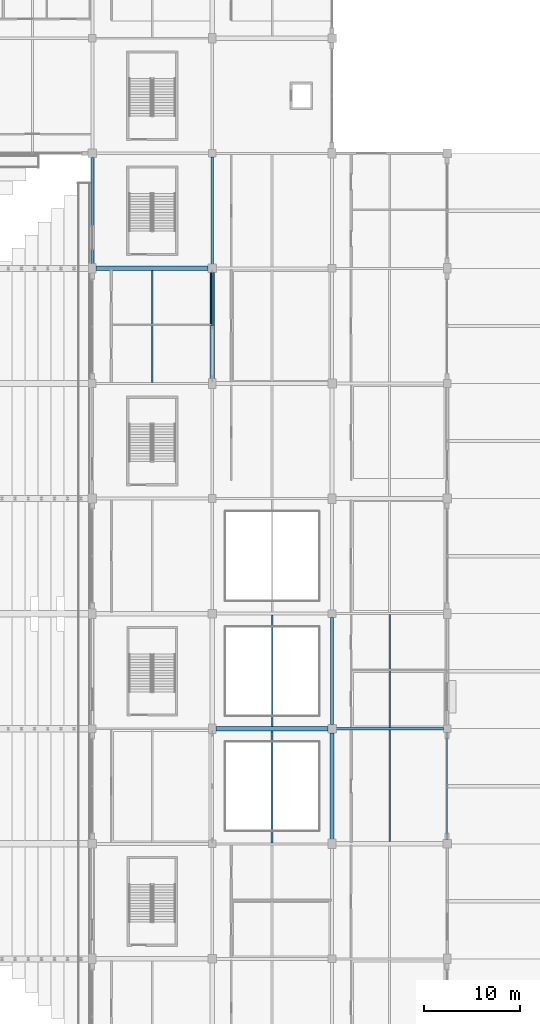
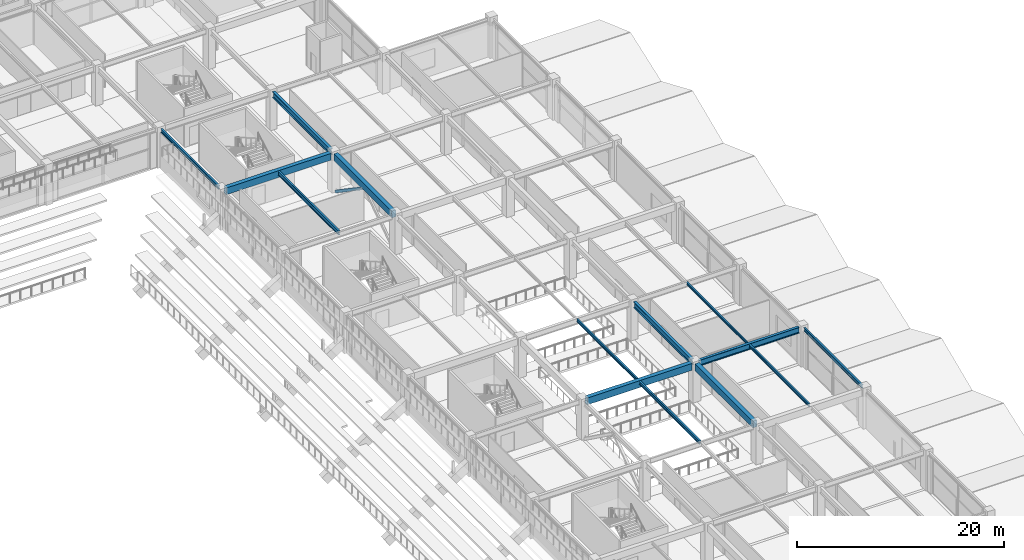
# One storey, part 44 of 134: 14 beams, 1 member.
"""IFC4 building model written with IfcOpenShell, lengths in metres."""

from ifc_helpers import new_model, si_unit, direction, frame, origin, origin_2d, place, context, subcontext, project, spatial, rectangle, hollow_rectangle, i_section, extrude, material, material_profile, profile_set, type_object, element, save


model = new_model("IFC4")

# Units and contexts
model_context = context("Model", 3, precision=1e-05, world=origin(), true_north=direction((0.0, 1.0)))
body_context = subcontext(model_context, "Body", "Model", "MODEL_VIEW")
ifc_project = project(units=[si_unit("LENGTHUNIT", "METRE"), si_unit("AREAUNIT", "SQUARE_METRE"), si_unit("VOLUMEUNIT", "CUBIC_METRE"), si_unit("PLANEANGLEUNIT", "RADIAN"), si_unit("MASSUNIT", "GRAM", prefix="KILO")], contexts=[model_context])

# Site, building, storey
site_placement = place(None, origin())
site = spatial("IfcSite", under=ifc_project, at=site_placement, CompositionType="ELEMENT")
building_placement = place(site_placement, origin())
building = spatial("IfcBuilding", under=site, at=building_placement, Name="Kazenohara Klinker Stadium", CompositionType="ELEMENT")
storey_placement = place(building_placement, frame((0.0, 0.0, 5.39990234375)))
storey = spatial("IfcBuildingStorey", under=building, at=storey_placement, Name="L01", CompositionType="ELEMENT", Elevation=5.39990234375)

# Beams
ifc_material_1 = material(Name="Steel S355", Category="steel")
ifc_material_profile_1 = material_profile(ifc_material_1, i_section(OverallWidth=0.199951171875, OverallDepth=0.5, WebThickness=0.010009765625, FlangeThickness=0.01611328125, FilletRadius=0.012939453125, at=origin_2d()), Name="H-500x200x10x16")
ifc_profile_set_1 = profile_set([ifc_material_profile_1], Name="Steel S355")
beam_type_1 = type_object("IfcBeamType", Name="BM-JST01", PredefinedType="JOIST", material=ifc_profile_set_1)
beam_1_placement = place(storey_placement, frame((181.25, 108.10009765625, 4.300048828125), z_axis=(0.0, 1.0, 0.0), x_axis=(-1.0, 0.0, 0.0)))
element("IfcBeam", 1, at=beam_1_placement, inside=storey, type_object=beam_type_1, Name="Secondary floor joist SJ01 L01 15/K", PredefinedType="JOIST", context=body_context, shape_type="SweptSolid", body=[
    extrude(i_section(OverallWidth=0.199951171875, OverallDepth=0.5, WebThickness=0.010009765625, FlangeThickness=0.01611328125, FilletRadius=0.012939453125, at=origin_2d()), origin(), (0.0, 0.0, 1.0), 11.6748046875),
])
ifc_material_profile_2 = material_profile(ifc_material_1, i_section(OverallWidth=0.199951171875, OverallDepth=0.39990234375, WebThickness=0.008056640625, FlangeThickness=0.012939453125, FilletRadius=0.012939453125, at=origin_2d()), Name="H-400x200x8x13")
ifc_profile_set_2 = profile_set([ifc_material_profile_2], Name="Steel S355")
beam_type_2 = type_object("IfcBeamType", Name="BM-JST03", PredefinedType="JOIST", material=ifc_profile_set_2)
beam_2_placement = place(storey_placement, frame((193.75, 60.10009765625, 4.35009765625), z_axis=(0.0, 1.0, 0.0), x_axis=(-1.0, 0.0, 0.0)))
element("IfcBeam", 2, at=beam_2_placement, inside=storey, type_object=beam_type_2, Name="Secondary floor joist SJ03 L01 16/F", PredefinedType="JOIST", context=body_context, shape_type="SweptSolid", body=[
    extrude(i_section(OverallWidth=0.199951171875, OverallDepth=0.39990234375, WebThickness=0.008056640625, FlangeThickness=0.012939453125, FilletRadius=0.012939453125, at=origin_2d()), origin(), (0.0, 0.0, 1.0), 11.6748046875),
])
ifc_material_profile_3 = material_profile(ifc_material_1, i_section(OverallWidth=0.175048828125, OverallDepth=0.35009765625, WebThickness=0.007080078125, FlangeThickness=0.010986328125, FilletRadius=0.012939453125, at=origin_2d()), Name="H-350x175x7x11")
ifc_profile_set_3 = profile_set([ifc_material_profile_3], Name="Steel S355")
beam_type_3 = type_object("IfcBeamType", Name="BM-JST04", PredefinedType="JOIST", material=ifc_profile_set_3)
for number, where, z_axis, x_axis, name in (
    (3, (193.75, 72.22509765625, 4.375), (0.0, 1.0, 0.0), (-1.0, 0.0, 0.0), "Secondary floor joist SJ04 L01 16/G"),
    (4, (206.0, 60.22509765625, 4.375), (0.0, 1.0, 0.0), (-1.0, 0.0, 0.0), "Secondary floor joist SJ04 L01 17/F"),
):
    element("IfcBeam", number, at=place(storey_placement, frame(where, z_axis=z_axis, x_axis=x_axis)), inside=storey, type_object=beam_type_3, Name=name, PredefinedType="JOIST", context=body_context, shape_type="SweptSolid", body=[
        extrude(i_section(OverallWidth=0.175048828125, OverallDepth=0.35009765625, WebThickness=0.007080078125, FlangeThickness=0.010986328125, FilletRadius=0.012939453125, at=origin_2d()), origin(), (0.0, 0.0, 1.0), 11.625),
    ])
ifc_material_profile_4 = material_profile(ifc_material_1, i_section(OverallWidth=0.14990234375, OverallDepth=0.300048828125, WebThickness=0.006591796875, FlangeThickness=0.009033203125, FilletRadius=0.012939453125, at=origin_2d()), Name="H-300x150x6.5x9")
ifc_profile_set_4 = profile_set([ifc_material_profile_4], Name="Steel S355")
beam_type_4 = type_object("IfcBeamType", Name="BM-JST05", PredefinedType="JOIST", material=ifc_profile_set_4)
beam_3_placement = place(storey_placement, frame((206.0, 72.14990234375, 4.400146484375), z_axis=(0.0, 1.0, 0.0), x_axis=(-1.0, 0.0, 0.0)))
element("IfcBeam", 5, at=beam_3_placement, inside=storey, type_object=beam_type_4, Name="Secondary floor joist SJ05 L01 17/G", PredefinedType="JOIST", context=body_context, shape_type="SweptSolid", body=[
    extrude(i_section(OverallWidth=0.14990234375, OverallDepth=0.300048828125, WebThickness=0.006591796875, FlangeThickness=0.009033203125, FilletRadius=0.012939453125, at=origin_2d()), origin(), (0.0, 0.0, 1.0), 11.75),
])
ifc_material_2 = material(Name="Concrete C40/50", Category="concrete")
ifc_material_profile_5 = material_profile(ifc_material_2, rectangle(XDim=0.449951171875, YDim=0.800048828125, at=origin_2d()), Name="RC-BM-450x800")
ifc_profile_set_5 = profile_set([ifc_material_profile_5], Name="Concrete C40/50")
beam_type_5 = type_object("IfcBeamType", Name="BM-RC03", PredefinedType="BEAM", material=ifc_profile_set_5)
for number, where, z_axis, x_axis, name in (
    (6, (175.39990234375, 120.0, 4.150146484375), (1.0, 0.0, 0.0), (0.0, 1.0, 0.0), "Primary girder BG03 L01 15-16/L"),
    (7, (187.89990234375, 72.0, 4.150146484375), (1.0, 0.0, 0.0), (0.0, 1.0, 0.0), "Primary girder BG03 L01 16-17/G"),
):
    element("IfcBeam", number, at=place(storey_placement, frame(where, z_axis=z_axis, x_axis=x_axis)), inside=storey, type_object=beam_type_5, Name=name, PredefinedType="BEAM", context=body_context, shape_type="SweptSolid", body=[
        extrude(rectangle(XDim=0.449951171875, YDim=0.800048828125, at=origin_2d()), origin(), (0.0, 0.0, 1.0), 11.68017578125),
    ])
for number, where, z_axis, x_axis, name in (
    (8, (187.5, 108.419921875, 4.150146484375), (0.0, 1.0, 0.0), (-1.0, 0.0, 0.0), "Primary girder BG03 L01 16/K-L"),
    (9, (200.0, 60.419921875, 4.150146484375), (0.0, 1.0, 0.0), (-1.0, 0.0, 0.0), "Primary girder BG03 L01 17/F-G"),
):
    element("IfcBeam", number, at=place(storey_placement, frame(where, z_axis=z_axis, x_axis=x_axis)), inside=storey, type_object=beam_type_5, Name=name, PredefinedType="BEAM", context=body_context, shape_type="SweptSolid", body=[
        extrude(rectangle(XDim=0.449951171875, YDim=0.800048828125, at=origin_2d()), origin(), (0.0, 0.0, 1.0), 11.16015625),
    ])
ifc_material_profile_6 = material_profile(ifc_material_1, i_section(OverallWidth=0.199951171875, OverallDepth=0.39990234375, WebThickness=0.008056640625, FlangeThickness=0.012939453125, FilletRadius=0.012939453125, at=origin_2d()), Name="H-400x200x8x13")
ifc_profile_set_6 = profile_set([ifc_material_profile_6], Name="Steel S355")
beam_type_6 = type_object("IfcBeamType", Name="BM-SPD01", PredefinedType="SPANDREL", material=ifc_profile_set_6)
beam_4_placement = place(storey_placement, frame((175.0, 120.419921875, 4.35009765625), z_axis=(0.0, 1.0, 0.0), x_axis=(-1.0, 0.0, 0.0)))
element("IfcBeam", 10, at=beam_4_placement, inside=storey, type_object=beam_type_6, Name="Primary girder SP01 L01 15/L-M", PredefinedType="SPANDREL", context=body_context, shape_type="SweptSolid", body=[
    extrude(i_section(OverallWidth=0.199951171875, OverallDepth=0.39990234375, WebThickness=0.008056640625, FlangeThickness=0.012939453125, FilletRadius=0.012939453125, at=origin_2d()), origin(), (0.0, 0.0, 1.0), 11.16015625),
])
beam_5_placement = place(storey_placement, frame((212.0, 60.419921875, 4.35009765625), z_axis=(0.0, 1.0, 0.0), x_axis=(-1.0, 0.0, 0.0)))
element("IfcBeam", 11, at=beam_5_placement, inside=storey, type_object=beam_type_6, Name="Primary girder SP01 L01 18/F-G", PredefinedType="SPANDREL", context=body_context, shape_type="SweptSolid", body=[
    extrude(i_section(OverallWidth=0.199951171875, OverallDepth=0.39990234375, WebThickness=0.008056640625, FlangeThickness=0.012939453125, FilletRadius=0.012939453125, at=origin_2d()), origin(), (0.0, 0.0, 1.0), 11.18017578125),
])
ifc_material_profile_7 = material_profile(ifc_material_1, i_section(OverallWidth=0.300048828125, OverallDepth=0.699951171875, WebThickness=0.012939453125, FlangeThickness=0.02392578125, FilletRadius=0.02197265625, at=origin_2d()), Name="H-700x300x13x24")
ifc_profile_set_7 = profile_set([ifc_material_profile_7], Name="Steel S355")
beam_type_7 = type_object("IfcBeamType", Name="BM-ST03", PredefinedType="BEAM", material=ifc_profile_set_7)
for number, where, z_axis, x_axis, name in (
    (12, (200.419921875, 72.0, 4.2001953125), (1.0, 0.0, 0.0), (0.0, 1.0, 0.0), "Primary girder SB03 L01 17-18/G"),
    (13, (187.5, 120.419921875, 4.2001953125), (0.0, 1.0, 0.0), (-1.0, 0.0, 0.0), "Primary girder SB03 L01 16/L-M"),
    (14, (200.0, 72.419921875, 4.2001953125), (0.0, 1.0, 0.0), (-1.0, 0.0, 0.0), "Primary girder SB03 L01 17/G-H"),
):
    element("IfcBeam", number, at=place(storey_placement, frame(where, z_axis=z_axis, x_axis=x_axis)), inside=storey, type_object=beam_type_7, Name=name, PredefinedType="BEAM", context=body_context, shape_type="SweptSolid", body=[
        extrude(i_section(OverallWidth=0.300048828125, OverallDepth=0.699951171875, WebThickness=0.012939453125, FlangeThickness=0.02392578125, FilletRadius=0.02197265625, at=origin_2d()), origin(), (0.0, 0.0, 1.0), 11.18017578125),
    ])

# Member
ifc_material_profile_8 = material_profile(ifc_material_1, hollow_rectangle(XDim=0.199951171875, YDim=0.300048828125, WallThickness=0.011962890625, InnerFilletRadius=0.011962890625, OuterFilletRadius=0.02392578125, at=origin_2d()), Name="RHS-300x200x12")
ifc_profile_set_8 = profile_set([ifc_material_profile_8], Name="Steel S355")
member_type = type_object("IfcMemberType", Name="MEM-BRC08", PredefinedType="BRACE", material=ifc_profile_set_8)
member_placement = place(storey_placement, frame((187.5, 119.570068359375, 0.050048828125), z_axis=(0.0, -0.827852512769, 0.560945823679), x_axis=(1.0, 0.0, 0.0)))
element("IfcMember", 15, at=member_placement, inside=storey, type_object=member_type, Name="Concentric brace BR08 L01 16/K B", PredefinedType="BRACE", context=body_context, shape_type="SweptSolid", body=[
    extrude(hollow_rectangle(XDim=0.199951171875, YDim=0.300048828125, WallThickness=0.011962890625, InnerFilletRadius=0.011962890625, OuterFilletRadius=0.02392578125, at=origin_2d()), origin(), (0.0, 0.0, 1.0), 6.631591796875),
])

save(model, "model.ifc")
